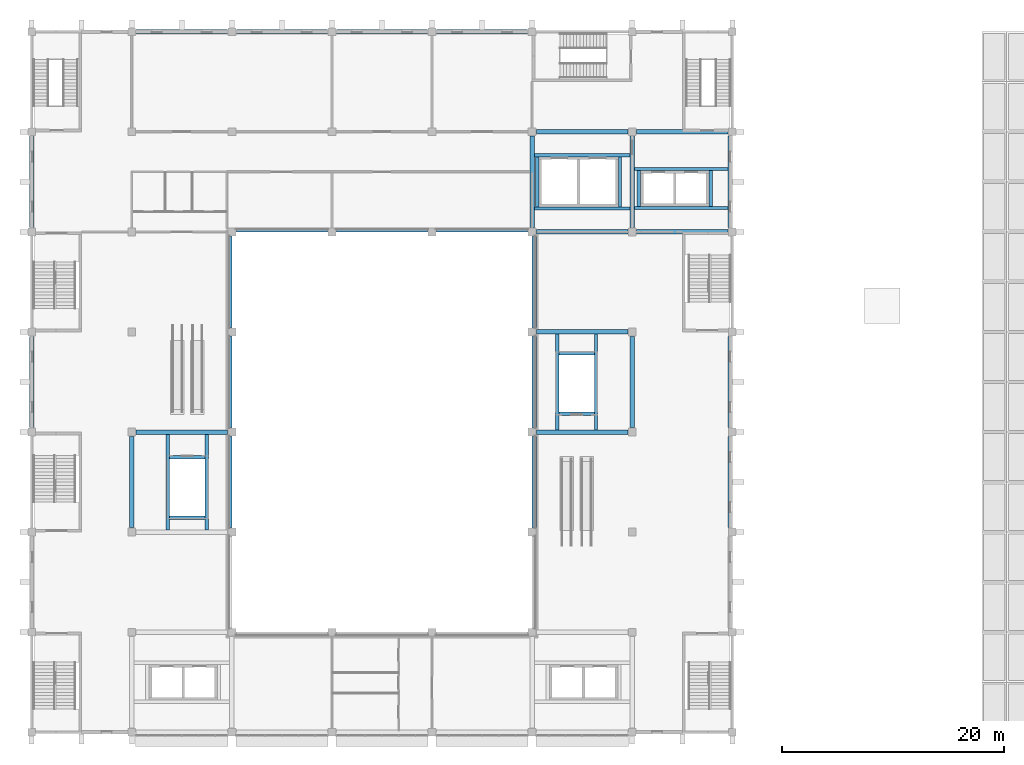
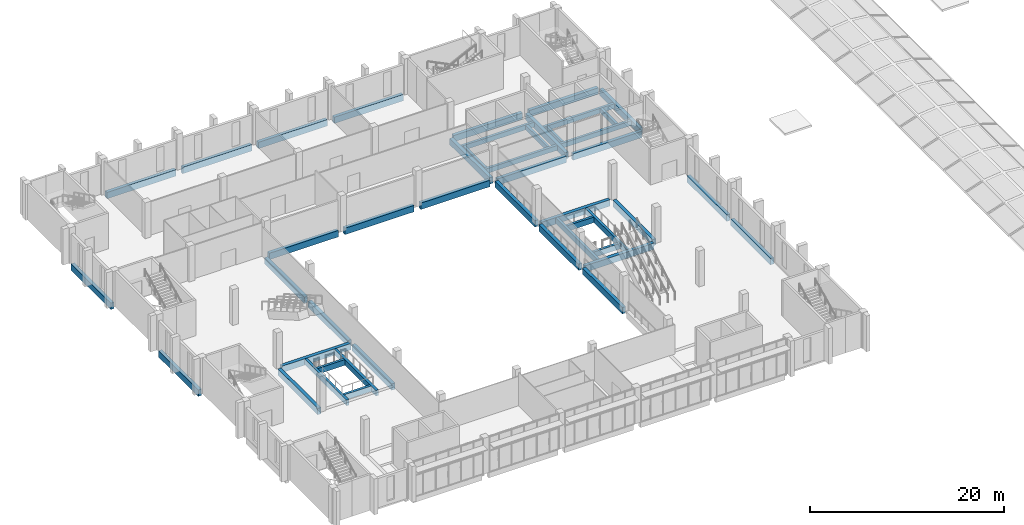
# One storey, part 9 of 45: 45 beams.
"""IFC4 building model written with IfcOpenShell, lengths in metres."""

from ifc_helpers import new_model, si_unit, direction, frame, origin, origin_2d, place, context, subcontext, project, spatial, rectangle, extrude, material, material_profile, profile_set, type_object, element, save


model = new_model("IFC4")

# Units and contexts
model_context = context("Model", 3, precision=1e-05, world=origin(), true_north=direction((0.0, 1.0)))
body_context = subcontext(model_context, "Body", "Model", "MODEL_VIEW")
ifc_project = project(units=[si_unit("LENGTHUNIT", "METRE"), si_unit("AREAUNIT", "SQUARE_METRE"), si_unit("VOLUMEUNIT", "CUBIC_METRE"), si_unit("PLANEANGLEUNIT", "RADIAN"), si_unit("MASSUNIT", "GRAM", prefix="KILO")], contexts=[model_context])

# Site, building, storey
site_placement = place(None, origin())
site = spatial("IfcSite", under=ifc_project, at=site_placement, CompositionType="ELEMENT")
building_placement = place(site_placement, origin())
building = spatial("IfcBuilding", under=site, at=building_placement, Name="Guidao Yard Department Store", CompositionType="ELEMENT")
storey_placement = place(building_placement, frame((0.0, 0.0, 19.5)))
storey = spatial("IfcBuildingStorey", under=building, at=storey_placement, Name="L04", CompositionType="ELEMENT", Elevation=19.5)

# Beams
ifc_material_1 = material(Name="Concrete C40", Category="concrete")
ifc_material_profile_1 = material_profile(ifc_material_1, rectangle(XDim=0.39990234375, YDim=0.800048828125, at=origin_2d()), Name="Edge beam 400 x 800 C40")
ifc_profile_set_1 = profile_set([ifc_material_profile_1], Name="Concrete C40")
beam_type_1 = type_object("IfcBeamType", Name="Edge beam 400 x 800 C40", PredefinedType="BEAM", material=ifc_profile_set_1)
for number, where, z_axis, x_axis, name in (
    (1, (45.199951171875, 63.39990234375, -0.39990234375), (0.0, 1.0, 0.0), (-1.0, 0.0, 0.0), "Beam EB21"),
    (2, (45.199951171875, 72.39990234375, -0.39990234375), (0.0, 1.0, 0.0), (-1.0, 0.0, 0.0), "Beam EB22"),
    (3, (45.199951171875, 81.39990234375, -0.39990234375), (0.0, 1.0, 0.0), (-1.0, 0.0, 0.0), "Beam EB23"),
    (4, (18.39990234375, 90.199951171875, -0.39990234375), (1.0, 0.0, 0.0), (0.0, 1.0, 0.0), "Beam EB24"),
    (5, (27.39990234375, 90.199951171875, -0.39990234375), (1.0, 0.0, 0.0), (0.0, 1.0, 0.0), "Beam EB25"),
    (6, (36.39990234375, 90.199951171875, -0.39990234375), (1.0, 0.0, 0.0), (0.0, 1.0, 0.0), "Beam EB26"),
    (7, (17.800048828125, 63.39990234375, -0.39990234375), (0.0, 1.0, 0.0), (-1.0, 0.0, 0.0), "Beam EB28"),
    (8, (17.800048828125, 72.39990234375, -0.39990234375), (0.0, 1.0, 0.0), (-1.0, 0.0, 0.0), "Beam EB29"),
    (9, (17.800048828125, 81.39990234375, -0.39990234375), (0.0, 1.0, 0.0), (-1.0, 0.0, 0.0), "Beam EB30"),
    (10, (9.39990234375, 72.0, -0.39990234375), (1.0, 0.0, 0.0), (0.0, 1.0, 0.0), "Beam EB35"),
    (11, (9.0, 63.39990234375, -0.39990234375), (0.0, 1.0, 0.0), (-1.0, 0.0, 0.0), "Beam EB36"),
    (12, (45.39990234375, 72.0, -0.39990234375), (1.0, 0.0, 0.0), (0.0, 1.0, 0.0), "Beam EB40"),
    (13, (45.39990234375, 81.0, -0.39990234375), (1.0, 0.0, 0.0), (0.0, 1.0, 0.0), "Beam EB41"),
    (14, (54.0, 72.39990234375, -0.39990234375), (0.0, 1.0, 0.0), (-1.0, 0.0, 0.0), "Beam EB42"),
    (15, (45.39990234375, 90.0, -0.39990234375), (1.0, 0.0, 0.0), (0.0, 1.0, 0.0), "Beam EB43"),
    (16, (45.39990234375, 99.0, -0.39990234375), (1.0, 0.0, 0.0), (0.0, 1.0, 0.0), "Beam EB44"),
    (17, (45.0, 90.39990234375, -0.39990234375), (0.0, 1.0, 0.0), (-1.0, 0.0, 0.0), "Beam EB45"),
    (18, (54.0, 90.39990234375, -0.39990234375), (0.0, 1.0, 0.0), (-1.0, 0.0, 0.0), "Beam EB46"),
    (19, (54.39990234375, 90.0, -0.39990234375), (1.0, 0.0, 0.0), (0.0, 1.0, 0.0), "Beam EB47"),
    (20, (54.39990234375, 99.0, -0.39990234375), (1.0, 0.0, 0.0), (0.0, 1.0, 0.0), "Beam EB48"),
):
    element("IfcBeam", number, at=place(storey_placement, frame(where, z_axis=z_axis, x_axis=x_axis)), inside=storey, type_object=beam_type_1, Name=name, PredefinedType="BEAM", context=body_context, shape_type="SweptSolid", body=[
        extrude(rectangle(XDim=0.39990234375, YDim=0.800048828125, at=origin_2d()), origin(), (0.0, 0.0, 1.0), 8.2001953125),
    ])
ifc_material_2 = material(Name="Concrete C40", Category="concrete")
ifc_material_profile_2 = material_profile(ifc_material_2, rectangle(XDim=0.300048828125, YDim=0.699951171875, at=origin_2d()), Name="Escalator well beam 300 x 700 C40")
ifc_profile_set_2 = profile_set([ifc_material_profile_2], Name="Concrete C40")
beam_type_2 = type_object("IfcBeamType", Name="Escalator well beam 300 x 700 C40", PredefinedType="BEAM", material=ifc_profile_set_2)
for number, where, z_axis, x_axis, name in (
    (21, (12.25, 63.199951171875, -0.35009765625), (0.0, 1.0, 0.0), (-1.0, 0.0, 0.0), "Beam OB05"),
    (22, (15.75, 63.199951171875, -0.35009765625), (0.0, 1.0, 0.0), (-1.0, 0.0, 0.0), "Beam OB06"),
):
    element("IfcBeam", number, at=place(storey_placement, frame(where, z_axis=z_axis, x_axis=x_axis)), inside=storey, type_object=beam_type_2, Name=name, PredefinedType="BEAM", context=body_context, shape_type="SweptSolid", body=[
        extrude(rectangle(XDim=0.300048828125, YDim=0.699951171875, at=origin_2d()), origin(), (0.0, 0.0, 1.0), 8.60009765625),
    ])
for number, where, z_axis, x_axis, name in (
    (23, (12.39990234375, 64.305908203125, -0.35009765625), (1.0, 0.0, 0.0), (0.0, 1.0, 0.0), "Beam OB07"),
    (24, (12.39990234375, 69.743896484375, -0.35009765625), (1.0, 0.0, 0.0), (0.0, 1.0, 0.0), "Beam OB08"),
):
    element("IfcBeam", number, at=place(storey_placement, frame(where, z_axis=z_axis, x_axis=x_axis)), inside=storey, type_object=beam_type_2, Name=name, PredefinedType="BEAM", context=body_context, shape_type="SweptSolid", body=[
        extrude(rectangle(XDim=0.300048828125, YDim=0.699951171875, at=origin_2d()), origin(), (0.0, 0.0, 1.0), 3.2001953125),
    ])
for number, where, z_axis, x_axis, name in (
    (25, (47.25, 72.199951171875, -0.35009765625), (0.0, 1.0, 0.0), (-1.0, 0.0, 0.0), "Beam OB13"),
    (26, (50.75, 72.199951171875, -0.35009765625), (0.0, 1.0, 0.0), (-1.0, 0.0, 0.0), "Beam OB14"),
):
    element("IfcBeam", number, at=place(storey_placement, frame(where, z_axis=z_axis, x_axis=x_axis)), inside=storey, type_object=beam_type_2, Name=name, PredefinedType="BEAM", context=body_context, shape_type="SweptSolid", body=[
        extrude(rectangle(XDim=0.300048828125, YDim=0.699951171875, at=origin_2d()), origin(), (0.0, 0.0, 1.0), 8.60009765625),
    ])
for number, where, z_axis, x_axis, name in (
    (27, (47.39990234375, 73.656005859375, -0.35009765625), (1.0, 0.0, 0.0), (0.0, 1.0, 0.0), "Beam OB15"),
    (28, (47.39990234375, 79.093994140625, -0.35009765625), (1.0, 0.0, 0.0), (0.0, 1.0, 0.0), "Beam OB16"),
):
    element("IfcBeam", number, at=place(storey_placement, frame(where, z_axis=z_axis, x_axis=x_axis)), inside=storey, type_object=beam_type_2, Name=name, PredefinedType="BEAM", context=body_context, shape_type="SweptSolid", body=[
        extrude(rectangle(XDim=0.300048828125, YDim=0.699951171875, at=origin_2d()), origin(), (0.0, 0.0, 1.0), 3.2001953125),
    ])
ifc_material_3 = material(Name="Concrete C40", Category="concrete")
ifc_material_profile_3 = material_profile(ifc_material_3, rectangle(XDim=0.300048828125, YDim=0.60009765625, at=origin_2d()), Name="Opening beam 300 x 600 C40")
ifc_profile_set_3 = profile_set([ifc_material_profile_3], Name="Concrete C40")
beam_type_3 = type_object("IfcBeamType", Name="Opening beam 300 x 600 C40", PredefinedType="BEAM", material=ifc_profile_set_3)
for number, where, z_axis, x_axis, name in (
    (29, (45.199951171875, 92.10009765625, -0.300048828125), (1.0, 0.0, 0.0), (0.0, 1.0, 0.0), "Beam OB17"),
    (30, (45.199951171875, 96.89990234375, -0.300048828125), (1.0, 0.0, 0.0), (0.0, 1.0, 0.0), "Beam OB18"),
):
    element("IfcBeam", number, at=place(storey_placement, frame(where, z_axis=z_axis, x_axis=x_axis)), inside=storey, type_object=beam_type_3, Name=name, PredefinedType="BEAM", context=body_context, shape_type="SweptSolid", body=[
        extrude(rectangle(XDim=0.300048828125, YDim=0.60009765625, at=origin_2d()), origin(), (0.0, 0.0, 1.0), 8.60009765625),
    ])
for number, where, z_axis, x_axis, name in (
    (31, (45.449951171875, 92.25, -0.300048828125), (0.0, 1.0, 0.0), (-1.0, 0.0, 0.0), "Beam OB19"),
    (32, (52.89990234375, 92.25, -0.300048828125), (0.0, 1.0, 0.0), (-1.0, 0.0, 0.0), "Beam OB20"),
):
    element("IfcBeam", number, at=place(storey_placement, frame(where, z_axis=z_axis, x_axis=x_axis)), inside=storey, type_object=beam_type_3, Name=name, PredefinedType="BEAM", context=body_context, shape_type="SweptSolid", body=[
        extrude(rectangle(XDim=0.300048828125, YDim=0.60009765625, at=origin_2d()), origin(), (0.0, 0.0, 1.0), 4.5),
    ])
for number, where, z_axis, x_axis, name in (
    (33, (54.199951171875, 92.14990234375, -0.300048828125), (1.0, 0.0, 0.0), (0.0, 1.0, 0.0), "Beam OB21"),
    (34, (54.199951171875, 95.64990234375, -0.300048828125), (1.0, 0.0, 0.0), (0.0, 1.0, 0.0), "Beam OB22"),
):
    element("IfcBeam", number, at=place(storey_placement, frame(where, z_axis=z_axis, x_axis=x_axis)), inside=storey, type_object=beam_type_3, Name=name, PredefinedType="BEAM", context=body_context, shape_type="SweptSolid", body=[
        extrude(rectangle(XDim=0.300048828125, YDim=0.60009765625, at=origin_2d()), origin(), (0.0, 0.0, 1.0), 8.400146484375),
    ])
for number, where, z_axis, x_axis, name in (
    (35, (54.60009765625, 92.300048828125, -0.300048828125), (0.0, 1.0, 0.0), (-1.0, 0.0, 0.0), "Beam OB23"),
    (36, (61.050048828125, 92.300048828125, -0.300048828125), (0.0, 1.0, 0.0), (-1.0, 0.0, 0.0), "Beam OB24"),
):
    element("IfcBeam", number, at=place(storey_placement, frame(where, z_axis=z_axis, x_axis=x_axis)), inside=storey, type_object=beam_type_3, Name=name, PredefinedType="BEAM", context=body_context, shape_type="SweptSolid", body=[
        extrude(rectangle(XDim=0.300048828125, YDim=0.60009765625, at=origin_2d()), origin(), (0.0, 0.0, 1.0), 3.199951171875),
    ])
ifc_material_4 = material(Name="Concrete C40", Category="concrete")
ifc_material_profile_4 = material_profile(ifc_material_4, rectangle(XDim=0.39990234375, YDim=0.800048828125, at=origin_2d()), Name="Spandrel beam 400 x 800 C40")
ifc_profile_set_4 = profile_set([ifc_material_profile_4], Name="Concrete C40")
beam_type_4 = type_object("IfcBeamType", Name="Spandrel beam 400 x 800 C40", PredefinedType="SPANDREL", material=ifc_profile_set_4)
for number, where, z_axis, x_axis, name in (
    (37, (0.0, 72.39990234375, -0.39990234375), (0.0, 1.0, 0.0), (-1.0, 0.0, 0.0), "Beam EB07"),
    (38, (0.0, 90.39990234375, -0.39990234375), (0.0, 1.0, 0.0), (-1.0, 0.0, 0.0), "Beam EB08"),
    (39, (9.39990234375, 108.0, -0.39990234375), (1.0, 0.0, 0.0), (0.0, 1.0, 0.0), "Beam EB09"),
    (40, (18.39990234375, 108.0, -0.39990234375), (1.0, 0.0, 0.0), (0.0, 1.0, 0.0), "Beam EB10"),
    (41, (27.39990234375, 108.0, -0.39990234375), (1.0, 0.0, 0.0), (0.0, 1.0, 0.0), "Beam EB11"),
    (42, (36.39990234375, 108.0, -0.39990234375), (1.0, 0.0, 0.0), (0.0, 1.0, 0.0), "Beam EB12"),
    (43, (62.800048828125, 90.39990234375, -0.39990234375), (0.0, 1.0, 0.0), (-1.0, 0.0, 0.0), "Beam EB13"),
    (44, (62.800048828125, 63.39990234375, -0.39990234375), (0.0, 1.0, 0.0), (-1.0, 0.0, 0.0), "Beam EB15"),
    (45, (62.800048828125, 72.39990234375, -0.39990234375), (0.0, 1.0, 0.0), (-1.0, 0.0, 0.0), "Beam EB16"),
):
    element("IfcBeam", number, at=place(storey_placement, frame(where, z_axis=z_axis, x_axis=x_axis)), inside=storey, type_object=beam_type_4, Name=name, PredefinedType="SPANDREL", context=body_context, shape_type="SweptSolid", body=[
        extrude(rectangle(XDim=0.39990234375, YDim=0.800048828125, at=origin_2d()), origin(), (0.0, 0.0, 1.0), 8.2001953125),
    ])

save(model, "model.ifc")
